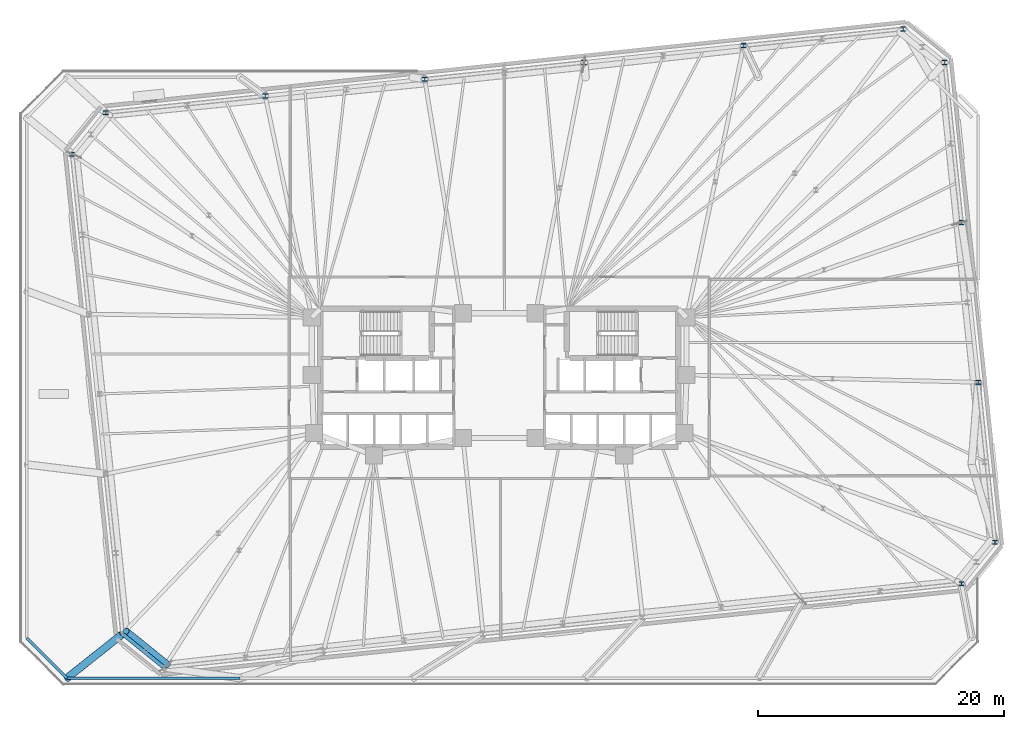
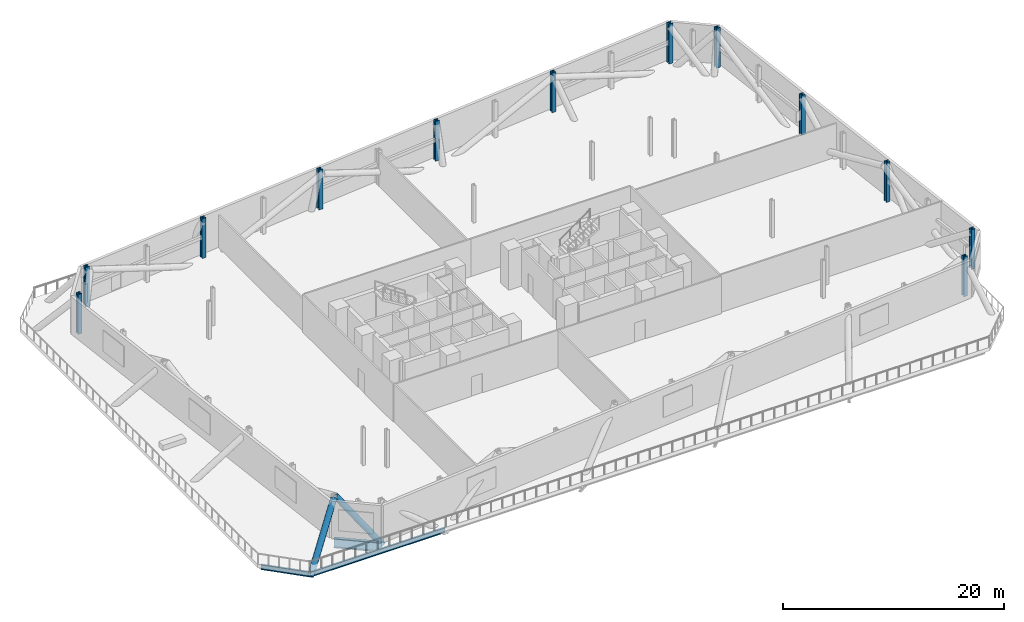
# One storey, part 5 of 17: 12 columns, 3 beams, 2 members.
"""IFC4 building model written with IfcOpenShell, lengths in metres."""

from ifc_helpers import new_model, si_unit, direction, frame, origin, origin_2d, place, context, subcontext, project, spatial, hollow_circle, i_section, extrude, material, material_profile, profile_set, type_object, element, save


model = new_model("IFC4")

# Units and contexts
model_context = context("Model", 3, precision=1e-05, world=origin(), true_north=direction((0.0, 1.0)))
body_context = subcontext(model_context, "Body", "Model", "MODEL_VIEW")
ifc_project = project(units=[si_unit("LENGTHUNIT", "METRE"), si_unit("AREAUNIT", "SQUARE_METRE"), si_unit("VOLUMEUNIT", "CUBIC_METRE"), si_unit("PLANEANGLEUNIT", "RADIAN"), si_unit("MASSUNIT", "GRAM", prefix="KILO")], contexts=[model_context])

# Site, building, storey
site_placement = place(None, origin())
site = spatial("IfcSite", under=ifc_project, at=site_placement, CompositionType="ELEMENT")
building_placement = place(site_placement, origin())
building = spatial("IfcBuilding", under=site, at=building_placement, Name="Menara Jurai Vektor", CompositionType="ELEMENT")
storey_placement = place(building_placement, frame((0.0, 0.0, 78.800048828125)))
storey = spatial("IfcBuildingStorey", under=building, at=storey_placement, Name="L19", CompositionType="ELEMENT", Elevation=78.800048828125)

# Columns
ifc_material_1 = material(Name="Steel S460", Category="steel")
ifc_material_profile_1 = material_profile(ifc_material_1, i_section(OverallWidth=0.4130859375, OverallDepth=0.39794921875, WebThickness=0.055908203125, FlangeThickness=0.089111328125, FilletRadius=0.014892578125, at=origin_2d()), Name="HD 400x744")
ifc_profile_set_1 = profile_set([ifc_material_profile_1], Name="Steel S460")
column_type = type_object("IfcColumnType", Name="STR-EXO-BLK2", PredefinedType="COLUMN", material=ifc_profile_set_1)
for number, where, z_axis, x_axis, name in (
    (1, (37.621826171875, -16.76513671875, 0.0), (0.0, 0.0, 1.0), (1.0, 0.0, 0.0), "Exoskeleton Column BLK2-S6 L19"),
    (2, (40.356201171875, -13.388671875, 0.0), (0.0, 0.0, 1.0), (1.0, 0.0, 0.0), "Exoskeleton Column BLK2-E1 L19"),
    (3, (38.98828125, -0.375, 0.0), (0.0, 0.0, 1.0), (1.0, 0.0, 0.0), "Exoskeleton Column BLK2-E2 L19"),
    (4, (37.62060546875, 12.638427734375, 0.0), (0.0, 0.0, 1.0), (1.0, 0.0, 0.0), "Exoskeleton Column BLK2-E3 L19"),
    (5, (36.252685546875, 25.65185546875, 0.0), (0.0, 0.0, 1.0), (1.0, 0.0, 0.0), "Exoskeleton Column BLK2-E4 L19"),
    (6, (32.876220703125, 28.38623046875, 0.0), (0.0, 0.0, 1.0), (1.0, 0.0, 0.0), "Exoskeleton Column BLK2-N1 L19"),
    (7, (19.896728515625, 27.02197265625, 0.0), (0.0, 0.0, 1.0), (1.0, 0.0, 0.0), "Exoskeleton Column BLK2-N2 L19"),
    (8, (6.9169921875, 25.65771484375, 0.0), (0.0, 0.0, 1.0), (1.0, 0.0, 0.0), "Exoskeleton Column BLK2-N3 L19"),
    (9, (-6.0625, 24.29345703125, 0.0), (0.0, 0.0, 1.0), (1.0, 0.0, 0.0), "Exoskeleton Column BLK2-N4 L19"),
    (10, (-19.042236328125, 22.929443359375, 0.0), (0.0, 0.0, 1.0), (1.0, 0.0, 0.0), "Exoskeleton Column BLK2-N5 L19"),
    (11, (-32.02197265625, 21.565185546875, 0.0), (0.0, 0.0, 1.0), (1.0, 0.0, 0.0), "Exoskeleton Column BLK2-N6 L19"),
    (12, (-34.756103515625, 18.188720703125, 0.0), (0.0, 0.0, 1.0), (1.0, 0.0, 0.0), "Exoskeleton Column BLK2-W1 L19"),
):
    element("IfcColumn", number, at=place(storey_placement, frame(where, z_axis=z_axis, x_axis=x_axis)), inside=storey, type_object=column_type, Name=name, PredefinedType="COLUMN", context=body_context, shape_type="SweptSolid", body=[
        extrude(i_section(OverallWidth=0.4130859375, OverallDepth=0.39794921875, WebThickness=0.055908203125, FlangeThickness=0.089111328125, FilletRadius=0.014892578125, at=origin_2d()), origin(), (0.0, 0.0, 1.0), 4.39990234375),
    ])

# Beams
ifc_material_2 = material(Name="Steel S355", Category="steel")
ifc_material_profile_2 = material_profile(ifc_material_2, i_section(OverallWidth=0.2109375, OverallDepth=0.5390625, WebThickness=0.011962890625, FlangeThickness=0.01904296875, FilletRadius=0.012939453125, at=origin_2d()), Name="UKB 533x210x109")
ifc_profile_set_2 = profile_set([ifc_material_profile_2], Name="Steel S355")
beam_type_1 = type_object("IfcBeamType", Name="STR-BM-533", PredefinedType="BEAM", material=ifc_profile_set_2)
beam_1_placement = place(storey_placement, frame((-35.177734375, -24.449951171875, -0.674560546875), z_axis=(1.0, 0.0, 0.0), x_axis=(0.0, 1.0, 0.0)))
element("IfcBeam", 13, at=beam_1_placement, inside=storey, type_object=beam_type_1, Name="Step Terrace Edge Beam L19-01", PredefinedType="BEAM", context=body_context, shape_type="SweptSolid", body=[
    extrude(i_section(OverallWidth=0.2109375, OverallDepth=0.5390625, WebThickness=0.011962890625, FlangeThickness=0.01904296875, FilletRadius=0.012939453125, at=origin_2d()), origin(), (0.0, 0.0, 1.0), 14.071044921875),
])
beam_2_placement = place(storey_placement, frame((-38.449951171875, -21.177734375, -0.674560546875), z_axis=(0.707106781187, -0.707106781187, 0.0), x_axis=(0.707106781187, 0.707106781187, 0.0)))
element("IfcBeam", 14, at=beam_2_placement, inside=storey, type_object=beam_type_1, Name="Step Terrace Edge Beam L19-20", PredefinedType="BEAM", context=body_context, shape_type="SweptSolid", body=[
    extrude(i_section(OverallWidth=0.2109375, OverallDepth=0.5390625, WebThickness=0.011962890625, FlangeThickness=0.01904296875, FilletRadius=0.012939453125, at=origin_2d()), origin(), (0.0, 0.0, 1.0), 4.627685546875),
])
ifc_material_profile_3 = material_profile(ifc_material_1, i_section(OverallWidth=0.30908203125, OverallDepth=1.035888671875, WebThickness=0.030029296875, FlangeThickness=0.053955078125, FilletRadius=0.030029296875, at=origin_2d()), Name="UKB 1016x305x487")
ifc_profile_set_3 = profile_set([ifc_material_profile_3], Name="Steel S460")
beam_type_2 = type_object("IfcBeamType", Name="STR-BM-TR1016", PredefinedType="BEAM", material=ifc_profile_set_3)
beam_3_placement = place(storey_placement, frame((-30.65283203125, -20.85205078125, -0.923095703125), z_axis=(0.777154568396, -0.629309762217, 0.0), x_axis=(0.629309762217, 0.777154568396, 0.0)))
element("IfcBeam", 15, at=beam_3_placement, inside=storey, type_object=beam_type_2, Name="Belt Truss Bottom Chord L19-20", PredefinedType="BEAM", context=body_context, shape_type="SweptSolid", body=[
    extrude(i_section(OverallWidth=0.30908203125, OverallDepth=1.035888671875, WebThickness=0.030029296875, FlangeThickness=0.053955078125, FilletRadius=0.030029296875, at=origin_2d()), origin(), (0.0, 0.0, 1.0), 4.3447265625),
])

# Members
ifc_material_profile_4 = material_profile(ifc_material_1, hollow_circle(Radius=0.304931640625, WallThickness=0.02490234375, at=origin_2d()), Name="CHS 610x25")
ifc_profile_set_4 = profile_set([ifc_material_profile_4], Name="Steel S460")
member_type_1 = type_object("IfcMemberType", Name="STR-BR-610", PredefinedType="BRACE", material=ifc_profile_set_4)
member_1_placement = place(storey_placement, frame((-27.01904296875, -23.364013671875, -0.923095703125), z_axis=(-0.51315114553, 0.413956862959, 0.751874735212), x_axis=(-0.627867594178, -0.778320168171, 0.0)))
element("IfcMember", 16, at=member_1_placement, inside=storey, type_object=member_type_1, Name="Belt Truss Web Diagonal L19-20", PredefinedType="BRACE", context=body_context, shape_type="SweptSolid", body=[
    extrude(hollow_circle(Radius=0.304931640625, WallThickness=0.02490234375, at=origin_2d()), origin(), (0.0, 0.0, 1.0), 6.537109375),
])
ifc_material_profile_5 = material_profile(ifc_material_1, hollow_circle(Radius=0.304931640625, WallThickness=0.02490234375, at=origin_2d()), Name="CHS 610x25")
ifc_profile_set_5 = profile_set([ifc_material_profile_5], Name="Steel S460")
member_type_2 = type_object("IfcMemberType", Name="STR-ST-610", PredefinedType="STRUT", material=ifc_profile_set_5)
member_2_placement = place(storey_placement, frame((-35.177734375, -24.449951171875, -0.923095703125), z_axis=(0.596326073942, 0.474158700318, 0.647741260419), x_axis=(-0.622369536746, 0.782723552559, 0.0)))
element("IfcMember", 17, at=member_2_placement, inside=storey, type_object=member_type_2, Name="Transfer Outrigger Strut L19-W4", PredefinedType="STRUT", context=body_context, shape_type="SweptSolid", body=[
    extrude(hollow_circle(Radius=0.304931640625, WallThickness=0.02490234375, at=origin_2d()), origin(), (0.0, 0.0, 1.0), 7.587890625),
])

save(model, "model.ifc")
